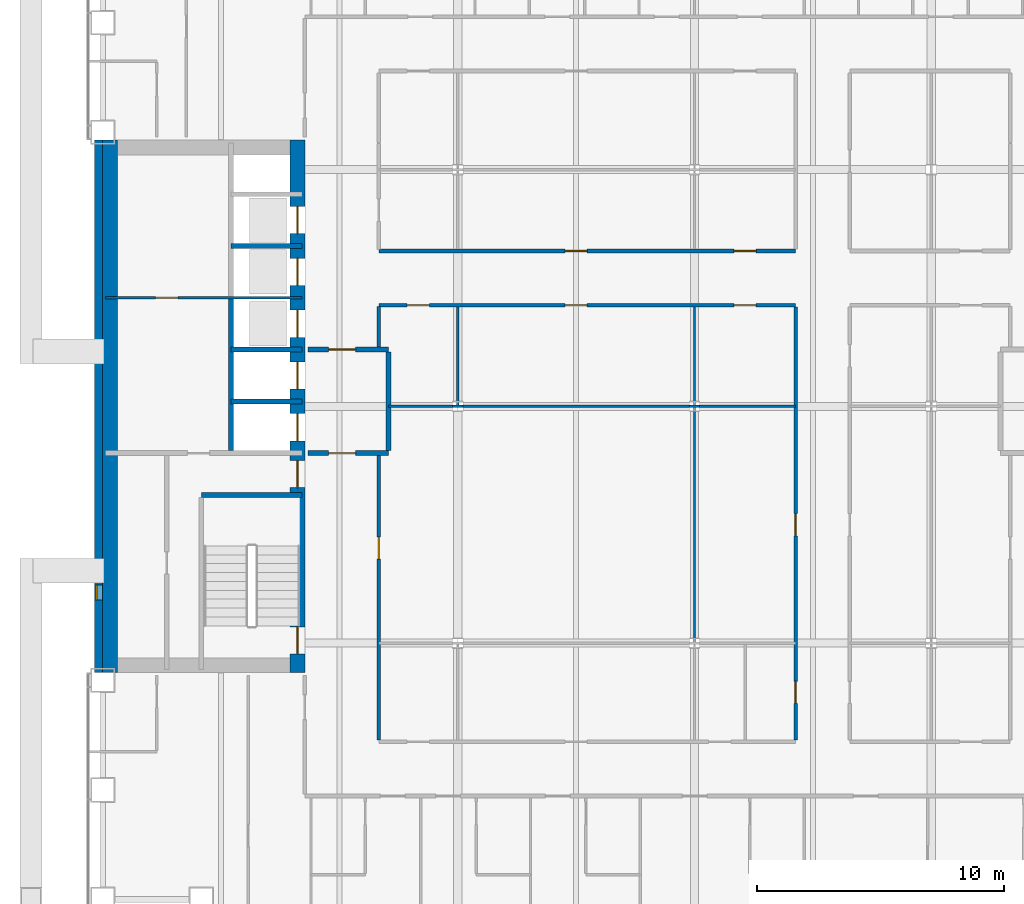
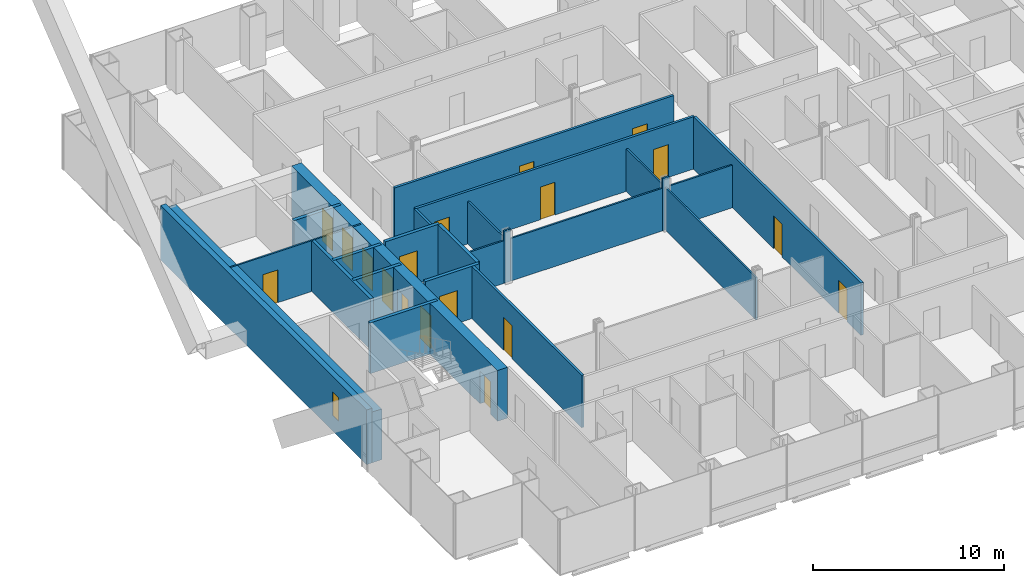
# One storey, part 17 of 23: 25 walls, 18 doors, 1 window, 19 openings.
"""IFC4 building model written with IfcOpenShell, lengths in metres."""

import ifcopenshell
import ifcopenshell.guid

model = None  # the IFC model being written
_history = None  # IfcOwnerHistory: only IFC2X3 demands one
_inside = {}  # id of a spatial element -> (the spatial element, [elements in it])
_under = {}  # id of a project, library or spatial element -> (it, [spatial elements below it])
_declared = {}  # id of a project -> (the project, [libraries it declares])
_typed = {}  # id of a type object -> (the type object, [elements of that type])
_made_of = {}  # id of a material, layer set ... -> (it, [elements and type objects made of it])


def new_model(schema):
    """Start an empty IFC model of exactly this schema.

    Asked for "IFC4X3", IfcOpenShell would pick the latest addendum, in which some entities
    have other attributes; the version numbers below select the first issue.
    IFC2X3 requires an IfcOwnerHistory on every rooted entity: one is made here for all.
    """
    global model, _history
    if schema == "IFC4X3":
        model = ifcopenshell.file(schema_version=(4, 3, 0, 0))
    else:
        model = ifcopenshell.file(schema=schema)
    _inside.clear()
    _under.clear()
    _declared.clear()
    _typed.clear()
    _made_of.clear()
    _history = None
    if model.schema == "IFC2X3":
        org = make("IfcOrganization", Name="unknown")
        user = make(
            "IfcPersonAndOrganization",
            ThePerson=make("IfcPerson", FamilyName="unknown"),
            TheOrganization=org,
        )
        app = make(
            "IfcApplication",
            ApplicationDeveloper=org,
            Version="unknown",
            ApplicationFullName="unknown",
            ApplicationIdentifier="unknown",
        )
        _history = make(
            "IfcOwnerHistory",
            OwningUser=user,
            OwningApplication=app,
            ChangeAction="ADDED",
            CreationDate=0,
        )
    return model


def make(cls, **values):
    """One entity of the class cls with the attributes given. An attribute that is None is left unset."""
    return model.create_entity(
        cls, **{name: value for name, value in values.items() if value is not None}
    )


def rooted(cls, **values):
    """An entity with a GlobalId (a new one), such as an element, a storey or a relation."""
    return make(cls, GlobalId=ifcopenshell.guid.new(), OwnerHistory=_history, **values)


def si_unit(unit_type, name, prefix=None):
    """IfcSIUnit, for example si_unit("LENGTHUNIT", "METRE", prefix="MILLI")."""
    return make("IfcSIUnit", UnitType=unit_type, Prefix=prefix, Name=name)


def assignment(units):
    """IfcUnitAssignment: the units of a project."""
    return None if units is None else make("IfcUnitAssignment", Units=units)


def point(xyz):
    """IfcCartesianPoint."""
    return None if xyz is None else make("IfcCartesianPoint", Coordinates=xyz)


def direction(xyz):
    """IfcDirection."""
    return None if xyz is None else make("IfcDirection", DirectionRatios=xyz)


def frame(location, z_axis=None, x_axis=None):
    """IfcAxis2Placement3D, a coordinate frame: its origin and axes. An axis left out is left unset."""
    return make(
        "IfcAxis2Placement3D",
        Location=point(location),
        Axis=direction(z_axis),
        RefDirection=direction(x_axis),
    )


def frame_2d(location, x_axis=None):
    """IfcAxis2Placement2D, a coordinate frame in the plane: its origin and x axis."""
    return make(
        "IfcAxis2Placement2D", Location=point(location), RefDirection=direction(x_axis)
    )


def origin():
    """The frame at (0, 0, 0) with its axes left unset."""
    return frame((0.0, 0.0, 0.0))


def place(relative_to, where):
    """IfcLocalPlacement: puts the frame where relative to a parent placement (None: the world)."""
    return make(
        "IfcLocalPlacement", PlacementRelTo=relative_to, RelativePlacement=where
    )


def context(
    kind, dimensions, precision=None, world=None, true_north=None, identifier=None
):
    """IfcGeometricRepresentationContext, for example the 3D "Model" context."""
    return make(
        "IfcGeometricRepresentationContext",
        ContextIdentifier=identifier,
        ContextType=kind,
        CoordinateSpaceDimension=dimensions,
        Precision=precision,
        WorldCoordinateSystem=world,
        TrueNorth=true_north,
    )


def subcontext(parent, identifier, kind, view, scale=None):
    """IfcGeometricRepresentationSubContext, for example "Body" below "Model"."""
    return make(
        "IfcGeometricRepresentationSubContext",
        ContextIdentifier=identifier,
        ContextType=kind,
        ParentContext=parent,
        TargetScale=scale,
        TargetView=view,
    )


def project(units=None, contexts=None):
    """IfcProject with its units and contexts."""
    return rooted(
        "IfcProject",
        Name="project",
        RepresentationContexts=contexts,
        UnitsInContext=assignment(units),
    )


def spatial(cls, under=None, at=None, **own):
    """A site, building, storey or space (cls), placed at a placement, below another one or the project."""
    s = rooted(cls, ObjectPlacement=at, **own)
    if under is not None:
        _under.setdefault(under.id(), (under, []))[1].append(s)
    return s


def profile(cls, at=None, kind="AREA", **sizes):
    """A parametric profile (cls). Its sizes go by their IFC names, for example OverallWidth=200.0."""
    return make(cls, ProfileType=kind, Position=at, **sizes)


def rectangle(**sizes):
    """IfcRectangleProfileDef."""
    return profile("IfcRectangleProfileDef", **sizes)


def extrude(swept, where, along, depth):
    """IfcExtrudedAreaSolid: the profile swept, set in the frame where, extruded along a direction by depth."""
    return make(
        "IfcExtrudedAreaSolid",
        SweptArea=swept,
        Position=where,
        ExtrudedDirection=direction(along),
        Depth=depth,
    )


def shape(context_of_items, identifier, shape_type, items):
    """IfcShapeRepresentation: the items that make up one representation, for example the "Body"."""
    return make(
        "IfcShapeRepresentation",
        ContextOfItems=context_of_items,
        RepresentationIdentifier=identifier,
        RepresentationType=shape_type,
        Items=items,
    )


def material(Name=None, Category=None):
    """IfcMaterial."""
    return make("IfcMaterial", Name=Name, Category=Category)


def layer(
    of_material, thickness, ventilated=None, Name=None, Category=None, Priority=None
):
    """IfcMaterialLayer: one layer of a wall or slab, of a material (None: an air gap)."""
    return make(
        "IfcMaterialLayer",
        Material=of_material,
        LayerThickness=thickness,
        IsVentilated=ventilated,
        Name=Name,
        Category=Category,
        Priority=Priority,
    )


def layer_set(layers, Name=None):
    """IfcMaterialLayerSet."""
    return make("IfcMaterialLayerSet", MaterialLayers=layers, LayerSetName=Name)


def made_of(thing, what):
    """Note that an element or type object is made of a material, layer set ...; save() writes the relation."""
    if what is not None:
        _made_of.setdefault(what.id(), (what, []))[1].append(thing)
    return thing


def type_object(cls, material=None, **own):
    """A type object (cls), such as IfcWallType, which elements share."""
    return made_of(rooted(cls, **own), material)


def element(
    cls,
    number,
    at=None,
    inside=None,
    cuts=None,
    type_object=None,
    material=None,
    context=None,
    identifier="Body",
    shape_type=None,
    held_by="IfcProductDefinitionShape",
    body=None,
    shapes=None,
    **own,
):
    """One element of the class cls, such as IfcWall. Its Tag is "e" and its number.

    at: its placement. inside: the storey or other place that contains it. cuts: it is an
    opening in that element (IfcRelVoidsElement). A single representation is given by context,
    identifier, shape_type and body (its items); several are given by shapes. held_by: the class
    of the entity that holds the representations. save() writes the other relations.
    """
    e = rooted(cls, Tag="e%d" % number, ObjectPlacement=at, **own)
    if body is not None:
        shapes = [shape(context, identifier, shape_type, body)]
    if shapes is not None:
        e.Representation = make(held_by, Representations=shapes)
    if inside is not None:
        _inside.setdefault(inside.id(), (inside, []))[1].append(e)
    if cuts is not None:
        rooted(
            "IfcRelVoidsElement", RelatingBuildingElement=cuts, RelatedOpeningElement=e
        )
    if type_object is not None:
        _typed.setdefault(type_object.id(), (type_object, []))[1].append(e)
    return made_of(e, material)


def fill(opening, filler):
    """IfcRelFillsElement: the door or window that sits in an opening."""
    return rooted(
        "IfcRelFillsElement",
        RelatingOpeningElement=opening,
        RelatedBuildingElement=filler,
    )


def aggregate(whole, parts):
    """IfcRelAggregates: a whole, such as a stair, and the parts it consists of."""
    return rooted("IfcRelAggregates", RelatingObject=whole, RelatedObjects=parts)


def save(model, path):
    """Write the relations noted so far, then the file.

    IfcRelAggregates (storeys below a building ...), IfcRelContainedInSpatialStructure (elements
    in a storey), IfcRelDefinesByType, IfcRelAssociatesMaterial and IfcRelDeclares: one each for
    every whole, place, type object, material and project.
    """
    for whole, parts in _under.values():
        aggregate(whole, parts)
    for where, things in _inside.values():
        rooted(
            "IfcRelContainedInSpatialStructure",
            RelatedElements=things,
            RelatingStructure=where,
        )
    for kind, things in _typed.values():
        rooted("IfcRelDefinesByType", RelatedObjects=things, RelatingType=kind)
    for what, things in _made_of.values():
        rooted("IfcRelAssociatesMaterial", RelatedObjects=things, RelatingMaterial=what)
    for by, libraries in _declared.values():
        rooted("IfcRelDeclares", RelatingContext=by, RelatedDefinitions=libraries)
    model.write(path)


model = new_model("IFC4")

# Units and contexts
model_context = context("Model", 3, precision=1e-05, world=origin(), true_north=direction((0.0, 1.0)))
body_context = subcontext(model_context, "Body", "Model", "MODEL_VIEW")
ifc_project = project(units=[si_unit("LENGTHUNIT", "METRE"), si_unit("AREAUNIT", "SQUARE_METRE"), si_unit("VOLUMEUNIT", "CUBIC_METRE"), si_unit("PLANEANGLEUNIT", "RADIAN"), si_unit("MASSUNIT", "GRAM", prefix="KILO")], contexts=[model_context])

# Site, building, storey
site_placement = place(None, origin())
site = spatial("IfcSite", under=ifc_project, at=site_placement, CompositionType="ELEMENT")
building_placement = place(site_placement, origin())
building = spatial("IfcBuilding", under=site, at=building_placement, Name="Cobrizo Arcos Hotel Tower", CompositionType="ELEMENT")
storey_placement = place(building_placement, frame((0.0, 0.0, 56.5)))
storey = spatial("IfcBuildingStorey", under=building, at=storey_placement, Name="L12", CompositionType="ELEMENT", Elevation=56.5)

# Wall, openings, doors
ifc_material_1 = material(Name="Gypsum board partition")
ifc_layer_1 = layer(ifc_material_1, 0.14990234375)
ifc_layer_set_1 = layer_set([ifc_layer_1], Name="Corridor wall EI 60 150")
wall_type_1 = type_object("IfcWallType", Name="Corridor wall EI 60 150", PredefinedType="PARTITIONING", material=ifc_layer_set_1)
wall_1_placement = place(storey_placement, frame((-12.800048828125, 4.10009765625, 0.0), z_axis=(0.0, 0.0, 1.0), x_axis=(1.0, 0.0, 0.0)))
wall_1 = element("IfcWall", 1, at=wall_1_placement, inside=storey, type_object=wall_type_1, Name="Partition 039", PredefinedType="PARTITIONING", context=body_context, shape_type="SweptSolid", body=[
    extrude(rectangle(XDim=16.900146484375, YDim=0.14990234375, at=frame_2d((8.4501953125, 0.0))), origin(), (0.0, 0.0, 1.0), 3.35009765625),
])
opening_1_placement = place(wall_1_placement, frame((1.14990234375, 0.0, 0.0)))
opening_1 = element("IfcOpeningElement", 2, at=opening_1_placement, cuts=wall_1, Name="Opening RD-13", PredefinedType="OPENING", context=body_context, shape_type="SweptSolid", body=[
    extrude(rectangle(XDim=0.89990234375, YDim=2.10009765625, at=frame_2d((0.449951171875, 1.050048828125))), frame((0.0, 0.0869140625, 0.0), z_axis=(0.0, -1.0, 0.0), x_axis=(1.0, 0.0, 0.0)), (0.0, 0.0, 1.0), 0.173828125),
])
opening_2_placement = place(wall_1_placement, frame((14.39990234375, 0.0, 0.0)))
opening_2 = element("IfcOpeningElement", 3, at=opening_2_placement, cuts=wall_1, Name="Opening RD-22", PredefinedType="OPENING", context=body_context, shape_type="SweptSolid", body=[
    extrude(rectangle(XDim=0.89990234375, YDim=2.10009765625, at=frame_2d((0.449951171875, 1.050048828125))), frame((0.0, 0.0869140625, 0.0), z_axis=(0.0, -1.0, 0.0), x_axis=(1.0, 0.0, 0.0)), (0.0, 0.0, 1.0), 0.173828125),
])
opening_3_placement = place(wall_1_placement, frame((7.550048828125, 0.0, 0.0)))
opening_3 = element("IfcOpeningElement", 4, at=opening_3_placement, cuts=wall_1, Name="Opening RD-30", PredefinedType="OPENING", context=body_context, shape_type="SweptSolid", body=[
    extrude(rectangle(XDim=0.89990234375, YDim=2.10009765625, at=frame_2d((0.449951171875, 1.050048828125))), frame((0.0, 0.0869140625, 0.0), z_axis=(0.0, -1.0, 0.0), x_axis=(1.0, 0.0, 0.0)), (0.0, 0.0, 1.0), 0.173828125),
])
ifc_material_2 = material(Name="Timber door leaf", Category="wood")
door_type_1 = type_object("IfcDoorType", Name="Room door FD30 900x2100", OperationType="SINGLE_SWING_LEFT", PredefinedType="DOOR", material=ifc_material_2)
door_1_placement = place(opening_1_placement, origin())
door_1 = element("IfcDoor", 5, at=door_1_placement, inside=storey, type_object=door_type_1, Name="Door RD-13", OperationType="SINGLE_SWING_LEFT", OverallHeight=2.10009765625, OverallWidth=0.89990234375, PredefinedType="DOOR", context=body_context, shape_type="SweptSolid", body=[
    extrude(rectangle(XDim=0.89990234375, YDim=2.10009765625, at=frame_2d((0.449951171875, 1.050048828125))), frame((0.0, 0.02490234375, 0.0), z_axis=(0.0, -1.0, 0.0), x_axis=(1.0, 0.0, 0.0)), (0.0, 0.0, 1.0), 0.050048828125),
])
fill(opening_1, door_1)
door_2_placement = place(opening_2_placement, origin())
door_2 = element("IfcDoor", 6, at=door_2_placement, inside=storey, type_object=door_type_1, Name="Door RD-22", OperationType="SINGLE_SWING_LEFT", OverallHeight=2.10009765625, OverallWidth=0.89990234375, PredefinedType="DOOR", context=body_context, shape_type="SweptSolid", body=[
    extrude(rectangle(XDim=0.89990234375, YDim=2.10009765625, at=frame_2d((0.449951171875, 1.050048828125))), frame((0.0, 0.02490234375, 0.0), z_axis=(0.0, -1.0, 0.0), x_axis=(1.0, 0.0, 0.0)), (0.0, 0.0, 1.0), 0.050048828125),
])
fill(opening_2, door_2)
door_3_placement = place(opening_3_placement, origin())
door_3 = element("IfcDoor", 7, at=door_3_placement, inside=storey, type_object=door_type_1, Name="Door RD-30", OperationType="SINGLE_SWING_RIGHT", OverallHeight=2.10009765625, OverallWidth=0.89990234375, PredefinedType="DOOR", context=body_context, shape_type="SweptSolid", body=[
    extrude(rectangle(XDim=0.89990234375, YDim=2.10009765625, at=frame_2d((0.449951171875, 1.050048828125))), frame((0.0, 0.02490234375, 0.0), z_axis=(0.0, -1.0, 0.0), x_axis=(1.0, 0.0, 0.0)), (0.0, 0.0, 1.0), 0.050048828125),
])
fill(opening_3, door_3)

wall_2_placement = place(storey_placement, frame((-12.800048828125, 6.300048828125, 0.0), z_axis=(0.0, 0.0, 1.0), x_axis=(1.0, 0.0, 0.0)))
wall_2 = element("IfcWall", 8, at=wall_2_placement, inside=storey, type_object=wall_type_1, Name="Partition 043", PredefinedType="PARTITIONING", context=body_context, shape_type="SweptSolid", body=[
    extrude(rectangle(XDim=16.900146484375, YDim=0.14990234375, at=frame_2d((8.4501953125, 0.0))), origin(), (0.0, 0.0, 1.0), 3.35009765625),
])
opening_4_placement = place(wall_2_placement, frame((14.39990234375, 0.0, 0.0)))
opening_4 = element("IfcOpeningElement", 9, at=opening_4_placement, cuts=wall_2, Name="Opening RD-20", PredefinedType="OPENING", context=body_context, shape_type="SweptSolid", body=[
    extrude(rectangle(XDim=0.89990234375, YDim=2.10009765625, at=frame_2d((0.449951171875, 1.050048828125))), frame((0.0, 0.0869140625, 0.0), z_axis=(0.0, -1.0, 0.0), x_axis=(1.0, 0.0, 0.0)), (0.0, 0.0, 1.0), 0.173828125),
])
opening_5_placement = place(wall_2_placement, frame((7.550048828125, 0.0, 0.0)))
opening_5 = element("IfcOpeningElement", 10, at=opening_5_placement, cuts=wall_2, Name="Opening RD-27", PredefinedType="OPENING", context=body_context, shape_type="SweptSolid", body=[
    extrude(rectangle(XDim=0.89990234375, YDim=2.10009765625, at=frame_2d((0.449951171875, 1.050048828125))), frame((0.0, 0.0869140625, 0.0), z_axis=(0.0, -1.0, 0.0), x_axis=(1.0, 0.0, 0.0)), (0.0, 0.0, 1.0), 0.173828125),
])
door_4_placement = place(opening_4_placement, origin())
door_4 = element("IfcDoor", 11, at=door_4_placement, inside=storey, type_object=door_type_1, Name="Door RD-20", OperationType="SINGLE_SWING_LEFT", OverallHeight=2.10009765625, OverallWidth=0.89990234375, PredefinedType="DOOR", context=body_context, shape_type="SweptSolid", body=[
    extrude(rectangle(XDim=0.89990234375, YDim=2.10009765625, at=frame_2d((0.449951171875, 1.050048828125))), frame((0.0, 0.02490234375, 0.0), z_axis=(0.0, -1.0, 0.0), x_axis=(1.0, 0.0, 0.0)), (0.0, 0.0, 1.0), 0.050048828125),
])
fill(opening_4, door_4)
door_5_placement = place(opening_5_placement, origin())
door_5 = element("IfcDoor", 12, at=door_5_placement, inside=storey, type_object=door_type_1, Name="Door RD-27", OperationType="SINGLE_SWING_LEFT", OverallHeight=2.10009765625, OverallWidth=0.89990234375, PredefinedType="DOOR", context=body_context, shape_type="SweptSolid", body=[
    extrude(rectangle(XDim=0.89990234375, YDim=2.10009765625, at=frame_2d((0.449951171875, 1.050048828125))), frame((0.0, 0.02490234375, 0.0), z_axis=(0.0, -1.0, 0.0), x_axis=(1.0, 0.0, 0.0)), (0.0, 0.0, 1.0), 0.050048828125),
])
fill(opening_5, door_5)

# Wall, opening, door
wall_3_placement = place(storey_placement, frame((-12.800048828125, -13.52490234375, 0.0), z_axis=(0.0, 0.0, 1.0), x_axis=(0.0, 1.0, 0.0)))
wall_3 = element("IfcWall", 13, at=wall_3_placement, inside=storey, type_object=wall_type_1, Name="Partition 078", PredefinedType="PARTITIONING", context=body_context, shape_type="SweptSolid", body=[
    extrude(rectangle(XDim=11.52490234375, YDim=0.14990234375, at=frame_2d((5.762451171875, 0.0))), origin(), (0.0, 0.0, 1.0), 3.35009765625),
])
opening_6_placement = place(wall_3_placement, frame((7.324951171875, 0.0, 0.0)))
opening_6 = element("IfcOpeningElement", 14, at=opening_6_placement, cuts=wall_3, Name="Opening RD-32", PredefinedType="OPENING", context=body_context, shape_type="SweptSolid", body=[
    extrude(rectangle(XDim=0.89990234375, YDim=2.10009765625, at=frame_2d((0.449951171875, 1.050048828125))), frame((0.0, 0.0869140625, 0.0), z_axis=(0.0, -1.0, 0.0), x_axis=(1.0, 0.0, 0.0)), (0.0, 0.0, 1.0), 0.173828125),
])
door_6_placement = place(opening_6_placement, origin())
door_6 = element("IfcDoor", 15, at=door_6_placement, inside=storey, type_object=door_type_1, Name="Door RD-32", OperationType="SINGLE_SWING_LEFT", OverallHeight=2.10009765625, OverallWidth=0.89990234375, PredefinedType="DOOR", context=body_context, shape_type="SweptSolid", body=[
    extrude(rectangle(XDim=0.89990234375, YDim=2.10009765625, at=frame_2d((0.449951171875, 1.050048828125))), frame((0.0, 0.02490234375, 0.0), z_axis=(0.0, -1.0, 0.0), x_axis=(1.0, 0.0, 0.0)), (0.0, 0.0, 1.0), 0.050048828125),
])
fill(opening_6, door_6)

# Wall
wall_4_placement = place(storey_placement, frame((-12.800048828125, 2.39990234375, 0.0), z_axis=(0.0, 0.0, 1.0), x_axis=(0.0, 1.0, 0.0)))
element("IfcWall", 16, at=wall_4_placement, inside=storey, type_object=wall_type_1, Name="Partition 079", PredefinedType="PARTITIONING", context=body_context, shape_type="SweptSolid", body=[
    extrude(rectangle(XDim=1.650146484375, YDim=0.14990234375, at=frame_2d((0.8251953125, 0.0))), origin(), (0.0, 0.0, 1.0), 3.35009765625),
])

# Wall, openings, doors
wall_5_placement = place(storey_placement, frame((4.10009765625, -13.52490234375, 0.0), z_axis=(0.0, 0.0, 1.0), x_axis=(0.0, 1.0, 0.0)))
wall_5 = element("IfcWall", 17, at=wall_5_placement, inside=storey, type_object=wall_type_1, Name="Partition 104", PredefinedType="PARTITIONING", context=body_context, shape_type="SweptSolid", body=[
    extrude(rectangle(XDim=17.5498046875, YDim=0.14990234375, at=frame_2d((8.77490234375, 0.0))), origin(), (0.0, 0.0, 1.0), 3.35009765625),
])
opening_7_placement = place(wall_5_placement, frame((1.47509765625, 0.0, 0.0)))
opening_7 = element("IfcOpeningElement", 18, at=opening_7_placement, cuts=wall_5, Name="Opening ED-17", PredefinedType="OPENING", context=body_context, shape_type="SweptSolid", body=[
    extrude(rectangle(XDim=0.89990234375, YDim=2.10009765625, at=frame_2d((0.449951171875, 1.050048828125))), frame((0.0, 0.0869140625, 0.0), z_axis=(0.0, -1.0, 0.0), x_axis=(1.0, 0.0, 0.0)), (0.0, 0.0, 1.0), 0.173828125),
])
opening_8_placement = place(wall_5_placement, frame((8.27490234375, 0.0, 0.0)))
opening_8 = element("IfcOpeningElement", 19, at=opening_8_placement, cuts=wall_5, Name="Opening RD-31", PredefinedType="OPENING", context=body_context, shape_type="SweptSolid", body=[
    extrude(rectangle(XDim=0.89990234375, YDim=2.10009765625, at=frame_2d((0.449951171875, 1.050048828125))), frame((0.0, 0.0869140625, 0.0), z_axis=(0.0, -1.0, 0.0), x_axis=(1.0, 0.0, 0.0)), (0.0, 0.0, 1.0), 0.173828125),
])
door_type_2 = type_object("IfcDoorType", Name="En-suite door 900x2100", OperationType="SINGLE_SWING_LEFT", PredefinedType="DOOR", material=ifc_material_2)
door_7_placement = place(opening_7_placement, origin())
door_7 = element("IfcDoor", 20, at=door_7_placement, inside=storey, type_object=door_type_2, Name="Door ED-17", OperationType="SINGLE_SWING_RIGHT", OverallHeight=2.10009765625, OverallWidth=0.89990234375, PredefinedType="DOOR", context=body_context, shape_type="SweptSolid", body=[
    extrude(rectangle(XDim=0.89990234375, YDim=2.10009765625, at=frame_2d((0.449951171875, 1.050048828125))), frame((0.0, 0.02490234375, 0.0), z_axis=(0.0, -1.0, 0.0), x_axis=(1.0, 0.0, 0.0)), (0.0, 0.0, 1.0), 0.050048828125),
])
fill(opening_7, door_7)
door_8_placement = place(opening_8_placement, origin())
door_8 = element("IfcDoor", 21, at=door_8_placement, inside=storey, type_object=door_type_1, Name="Door RD-31", OperationType="SINGLE_SWING_LEFT", OverallHeight=2.10009765625, OverallWidth=0.89990234375, PredefinedType="DOOR", context=body_context, shape_type="SweptSolid", body=[
    extrude(rectangle(XDim=0.89990234375, YDim=2.10009765625, at=frame_2d((0.449951171875, 1.050048828125))), frame((0.0, 0.02490234375, 0.0), z_axis=(0.0, -1.0, 0.0), x_axis=(1.0, 0.0, 0.0)), (0.0, 0.0, 1.0), 0.050048828125),
])
fill(opening_8, door_8)

# Wall, opening, window
ifc_material_3 = material(Name="Aluminium composite panel pale metal", Category="aluminium")
ifc_layer_2 = layer(ifc_material_3, 0.324951171875)
ifc_layer_set_2 = layer_set([ifc_layer_2], Name="EW-1 insulated panel wall 325")
wall_type_2 = type_object("IfcWallType", Name="EW-1 insulated panel wall 325", PredefinedType="SOLIDWALL", material=ifc_layer_set_2)
wall_6_placement = place(storey_placement, frame((-24.16259765625, 10.800048828125, 0.0), z_axis=(0.0, 0.0, 1.0), x_axis=(0.0, -1.0, 0.0)))
wall_6 = element("IfcWall", 22, at=wall_6_placement, inside=storey, type_object=wall_type_2, Name="Core face wall L12 W", PredefinedType="SOLIDWALL", context=body_context, shape_type="SweptSolid", body=[
    extrude(rectangle(XDim=21.60009765625, YDim=0.324951171875, at=frame_2d((10.800048828125, 0.0))), origin(), (0.0, 0.0, 1.0), 3.5),
])
opening_9_placement = place(wall_6_placement, frame((18.050048828125, 0.0, 1.0)))
opening_9 = element("IfcOpeningElement", 23, at=opening_9_placement, cuts=wall_6, Name="Opening W-20", PredefinedType="OPENING", context=body_context, shape_type="SweptSolid", body=[
    extrude(rectangle(XDim=0.60009765625, YDim=1.5, at=frame_2d((0.300048828125, 0.75))), frame((0.0, 0.174560546875, 0.0), z_axis=(0.0, -1.0, 0.0), x_axis=(1.0, 0.0, 0.0)), (0.0, 0.0, 1.0), 0.348876953125),
])
ifc_material_4 = material(Name="Aluminium 6063-T6 and clear laminated glass", Category="aluminium")
window_type = type_object("IfcWindowType", Name="W-C1 core stair slot window 600x1500", PartitioningType="SINGLE_PANEL", PredefinedType="WINDOW", material=ifc_material_4)
window_placement = place(opening_9_placement, origin())
window = element("IfcWindow", 24, at=window_placement, inside=storey, type_object=window_type, Name="Core face wall L12 W window W-20", OverallHeight=1.5, OverallWidth=0.60009765625, PartitioningType="SINGLE_PANEL", PredefinedType="WINDOW", context=body_context, shape_type="SweptSolid", body=[
    extrude(rectangle(XDim=0.60009765625, YDim=1.5, at=frame_2d((0.300048828125, 0.75))), frame((0.0, -0.072509765625, 0.0), z_axis=(0.0, -1.0, 0.0), x_axis=(1.0, 0.0, 0.0)), (0.0, 0.0, 1.0), 0.06005859375),
])
fill(opening_9, window)

# Walls
ifc_layer_3 = layer(ifc_material_1, 0.10009765625)
ifc_layer_set_3 = layer_set([ifc_layer_3], Name="Partition EI 30 100")
wall_type_3 = type_object("IfcWallType", Name="Partition EI 30 100", PredefinedType="PARTITIONING", material=ifc_layer_set_3)
wall_7_placement = place(storey_placement, frame((-12.39990234375, 0.0, 0.0), z_axis=(0.0, 0.0, 1.0), x_axis=(1.0, 0.0, 0.0)))
element("IfcWall", 25, at=wall_7_placement, inside=storey, type_object=wall_type_3, Name="Partition 025", PredefinedType="PARTITIONING", context=body_context, shape_type="SweptSolid", body=[
    extrude(rectangle(XDim=2.595947265625, YDim=0.10009765625, at=frame_2d((1.2978515625, 0.0))), origin(), (0.0, 0.0, 1.0), 2.72802734375),
])
wall_8_placement = place(storey_placement, frame((-9.803955078125, 0.0, 0.0), z_axis=(0.0, 0.0, 1.0), x_axis=(1.0, 0.0, 0.0)))
element("IfcWall", 26, at=wall_8_placement, inside=storey, type_object=wall_type_3, Name="Partition 026", PredefinedType="PARTITIONING", context=body_context, shape_type="SweptSolid", body=[
    extrude(rectangle(XDim=0.407958984375, YDim=0.10009765625, at=frame_2d((0.2041015625, 0.0))), origin(), (0.0, 0.0, 1.0), 3.35009765625),
])
wall_9_placement = place(storey_placement, frame((-9.39599609375, 0.0, 0.0), z_axis=(0.0, 0.0, 1.0), x_axis=(1.0, 0.0, 0.0)))
element("IfcWall", 27, at=wall_9_placement, inside=storey, type_object=wall_type_3, Name="Partition 027", PredefinedType="PARTITIONING", context=body_context, shape_type="SweptSolid", body=[
    extrude(rectangle(XDim=9.19189453125, YDim=0.10009765625, at=frame_2d((4.595947265625, 0.0))), origin(), (0.0, 0.0, 1.0), 2.72802734375),
])
wall_10_placement = place(storey_placement, frame((-0.2041015625, 0.0, 0.0), z_axis=(0.0, 0.0, 1.0), x_axis=(1.0, 0.0, 0.0)))
element("IfcWall", 28, at=wall_10_placement, inside=storey, type_object=wall_type_3, Name="Partition 028", PredefinedType="PARTITIONING", context=body_context, shape_type="SweptSolid", body=[
    extrude(rectangle(XDim=0.408203125, YDim=0.10009765625, at=frame_2d((0.2041015625, 0.0))), origin(), (0.0, 0.0, 1.0), 3.35009765625),
])
wall_11_placement = place(storey_placement, frame((0.2041015625, 0.0, 0.0), z_axis=(0.0, 0.0, 1.0), x_axis=(1.0, 0.0, 0.0)))
element("IfcWall", 29, at=wall_11_placement, inside=storey, type_object=wall_type_3, Name="Partition 029", PredefinedType="PARTITIONING", context=body_context, shape_type="SweptSolid", body=[
    extrude(rectangle(XDim=3.89599609375, YDim=0.10009765625, at=frame_2d((1.947998046875, 0.0))), origin(), (0.0, 0.0, 1.0), 2.72802734375),
])

# Wall, opening, door
wall_12_placement = place(storey_placement, frame((-23.8798828125, 4.39990234375, 0.0), z_axis=(0.0, 0.0, 1.0), x_axis=(1.0, 0.0, 0.0)))
wall_12 = element("IfcWall", 30, at=wall_12_placement, inside=storey, type_object=wall_type_3, Name="Partition 041", PredefinedType="PARTITIONING", context=body_context, shape_type="SweptSolid", body=[
    extrude(rectangle(XDim=7.9599609375, YDim=0.10009765625, at=frame_2d((3.97998046875, 0.0))), origin(), (0.0, 0.0, 1.0), 3.25),
])
opening_10_placement = place(wall_12_placement, frame((2.030029296875, 0.0, 0.0)))
opening_10 = element("IfcOpeningElement", 31, at=opening_10_placement, cuts=wall_12, Name="Opening RD-03", PredefinedType="OPENING", context=body_context, shape_type="SweptSolid", body=[
    extrude(rectangle(XDim=0.89990234375, YDim=2.10009765625, at=frame_2d((0.449951171875, 1.050048828125))), frame((0.0, 0.06201171875, 0.0), z_axis=(0.0, -1.0, 0.0), x_axis=(1.0, 0.0, 0.0)), (0.0, 0.0, 1.0), 0.1240234375),
])
door_9_placement = place(opening_10_placement, origin())
door_9 = element("IfcDoor", 32, at=door_9_placement, inside=storey, type_object=door_type_1, Name="Door RD-03", OperationType="SINGLE_SWING_RIGHT", OverallHeight=2.10009765625, OverallWidth=0.89990234375, PredefinedType="DOOR", context=body_context, shape_type="SweptSolid", body=[
    extrude(rectangle(XDim=0.89990234375, YDim=2.10009765625, at=frame_2d((0.449951171875, 1.050048828125))), frame((0.0, 0.02490234375, 0.0), z_axis=(0.0, -1.0, 0.0), x_axis=(1.0, 0.0, 0.0)), (0.0, 0.0, 1.0), 0.050048828125),
])
fill(opening_10, door_9)

# Walls
wall_13_placement = place(storey_placement, frame((-9.60009765625, 0.050048828125, 0.0), z_axis=(0.0, 0.0, 1.0), x_axis=(0.0, 1.0, 0.0)))
element("IfcWall", 33, at=wall_13_placement, inside=storey, type_object=wall_type_3, Name="Partition 085", PredefinedType="PARTITIONING", context=body_context, shape_type="SweptSolid", body=[
    extrude(rectangle(XDim=3.974853515625, YDim=0.10009765625, at=frame_2d((1.9873046875, 0.0))), origin(), (0.0, 0.0, 1.0), 2.72802734375),
])
wall_14_placement = place(storey_placement, frame((0.0, -9.550048828125, 0.0), z_axis=(0.0, 0.0, 1.0), x_axis=(0.0, 1.0, 0.0)))
element("IfcWall", 34, at=wall_14_placement, inside=storey, type_object=wall_type_3, Name="Partition 097", PredefinedType="PARTITIONING", context=body_context, shape_type="SweptSolid", body=[
    extrude(rectangle(XDim=9.5, YDim=0.10009765625, at=frame_2d((4.75, 0.0))), origin(), (0.0, 0.0, 1.0), 2.72802734375),
])
wall_15_placement = place(storey_placement, frame((0.0, 0.050048828125, 0.0), z_axis=(0.0, 0.0, 1.0), x_axis=(0.0, 1.0, 0.0)))
element("IfcWall", 35, at=wall_15_placement, inside=storey, type_object=wall_type_3, Name="Partition 098", PredefinedType="PARTITIONING", context=body_context, shape_type="SweptSolid", body=[
    extrude(rectangle(XDim=3.974853515625, YDim=0.10009765625, at=frame_2d((1.9873046875, 0.0))), origin(), (0.0, 0.0, 1.0), 2.72802734375),
])

# Wall, openings, doors
ifc_material_5 = material(Name="Concrete f'c 60 MPa", Category="concrete")
ifc_layer_4 = layer(ifc_material_5, 0.60009765625)
ifc_layer_set_4 = layer_set([ifc_layer_4], Name="RC core wall 600 f'c 60")
wall_type_4 = type_object("IfcWallType", Name="RC core wall 600 f'c 60", PredefinedType="SHEAR", material=ifc_layer_set_4)
wall_16_placement = place(storey_placement, frame((-16.10009765625, -10.800048828125, 0.0), z_axis=(0.0, 0.0, 1.0), x_axis=(0.0, 1.0, 0.0)))
wall_16 = element("IfcWall", 36, at=wall_16_placement, inside=storey, type_object=wall_type_4, Name="Core wall CW1, west core, inner face, L12", PredefinedType="SHEAR", context=body_context, shape_type="SweptSolid", body=[
    extrude(rectangle(XDim=21.60009765625, YDim=0.60009765625, at=frame_2d((10.800048828125, 0.0))), origin(), (0.0, 0.0, 1.0), 3.25),
])
opening_11_placement = place(wall_16_placement, frame((9.39990234375, 0.0, 0.0)))
opening_11 = element("IfcOpeningElement", 37, at=opening_11_placement, cuts=wall_16, Name="Opening LD-01", PredefinedType="OPENING", context=body_context, shape_type="SweptSolid", body=[
    extrude(rectangle(XDim=1.10009765625, YDim=2.10009765625, at=frame_2d((0.550048828125, 1.050048828125))), frame((0.0, 0.31201171875, 0.0), z_axis=(0.0, -1.0, 0.0), x_axis=(1.0, 0.0, 0.0)), (0.0, 0.0, 1.0), 0.6240234375),
])
opening_12_placement = place(wall_16_placement, frame((11.5, 0.0, 0.0)))
opening_12 = element("IfcOpeningElement", 38, at=opening_12_placement, cuts=wall_16, Name="Opening LD-02", PredefinedType="OPENING", context=body_context, shape_type="SweptSolid", body=[
    extrude(rectangle(XDim=1.10009765625, YDim=2.10009765625, at=frame_2d((0.550048828125, 1.050048828125))), frame((0.0, 0.31201171875, 0.0), z_axis=(0.0, -1.0, 0.0), x_axis=(1.0, 0.0, 0.0)), (0.0, 0.0, 1.0), 0.6240234375),
])
opening_13_placement = place(wall_16_placement, frame((13.60009765625, 0.0, 0.0)))
opening_13 = element("IfcOpeningElement", 39, at=opening_13_placement, cuts=wall_16, Name="Opening LD-03", PredefinedType="OPENING", context=body_context, shape_type="SweptSolid", body=[
    extrude(rectangle(XDim=1.10009765625, YDim=2.10009765625, at=frame_2d((0.550048828125, 1.050048828125))), frame((0.0, 0.31201171875, 0.0), z_axis=(0.0, -1.0, 0.0), x_axis=(1.0, 0.0, 0.0)), (0.0, 0.0, 1.0), 0.6240234375),
])
opening_14_placement = place(wall_16_placement, frame((15.699951171875, 0.0, 0.0)))
opening_14 = element("IfcOpeningElement", 40, at=opening_14_placement, cuts=wall_16, Name="Opening LD-04", PredefinedType="OPENING", context=body_context, shape_type="SweptSolid", body=[
    extrude(rectangle(XDim=1.10009765625, YDim=2.10009765625, at=frame_2d((0.550048828125, 1.050048828125))), frame((0.0, 0.31201171875, 0.0), z_axis=(0.0, -1.0, 0.0), x_axis=(1.0, 0.0, 0.0)), (0.0, 0.0, 1.0), 0.6240234375),
])
opening_15_placement = place(wall_16_placement, frame((17.800048828125, 0.0, 0.0)))
opening_15 = element("IfcOpeningElement", 41, at=opening_15_placement, cuts=wall_16, Name="Opening LD-05", PredefinedType="OPENING", context=body_context, shape_type="SweptSolid", body=[
    extrude(rectangle(XDim=1.10009765625, YDim=2.10009765625, at=frame_2d((0.550048828125, 1.050048828125))), frame((0.0, 0.31201171875, 0.0), z_axis=(0.0, -1.0, 0.0), x_axis=(1.0, 0.0, 0.0)), (0.0, 0.0, 1.0), 0.6240234375),
])
opening_16_placement = place(wall_16_placement, frame((0.758056640625, 0.0, 0.0)))
opening_16 = element("IfcOpeningElement", 42, at=opening_16_placement, cuts=wall_16, Name="Opening SD-01", PredefinedType="OPENING", context=body_context, shape_type="SweptSolid", body=[
    extrude(rectangle(XDim=1.10009765625, YDim=2.10009765625, at=frame_2d((0.550048828125, 1.050048828125))), frame((0.0, 0.31201171875, 0.0), z_axis=(0.0, -1.0, 0.0), x_axis=(1.0, 0.0, 0.0)), (0.0, 0.0, 1.0), 0.6240234375),
])
opening_17_placement = place(wall_16_placement, frame((7.5, 0.0, 0.0)))
opening_17 = element("IfcOpeningElement", 43, at=opening_17_placement, cuts=wall_16, Name="Opening FD-01", PredefinedType="OPENING", context=body_context, shape_type="SweptSolid", body=[
    extrude(rectangle(XDim=1.10009765625, YDim=2.10009765625, at=frame_2d((0.550048828125, 1.050048828125))), frame((0.0, 0.31201171875, 0.0), z_axis=(0.0, -1.0, 0.0), x_axis=(1.0, 0.0, 0.0)), (0.0, 0.0, 1.0), 0.6240234375),
])
ifc_material_6 = material(Name="Steel door leaf", Category="steel")
door_type_3 = type_object("IfcDoorType", Name="Fire door FD60 1100x2100", OperationType="SINGLE_SWING_LEFT", PredefinedType="DOOR", material=ifc_material_6)
door_10_placement = place(opening_17_placement, origin())
door_10 = element("IfcDoor", 44, at=door_10_placement, inside=storey, type_object=door_type_3, Name="Door FD-01", OperationType="SINGLE_SWING_LEFT", OverallHeight=2.10009765625, OverallWidth=1.10009765625, PredefinedType="DOOR", context=body_context, shape_type="SweptSolid", body=[
    extrude(rectangle(XDim=1.10009765625, YDim=2.10009765625, at=frame_2d((0.550048828125, 1.050048828125))), frame((0.0, 0.02490234375, 0.0), z_axis=(0.0, -1.0, 0.0), x_axis=(1.0, 0.0, 0.0)), (0.0, 0.0, 1.0), 0.050048828125),
])
fill(opening_17, door_10)
door_type_4 = type_object("IfcDoorType", Name="Lift landing door 1100x2100", OperationType="SLIDING_TO_LEFT", PredefinedType="DOOR", material=ifc_material_6)
door_11_placement = place(opening_11_placement, origin())
door_11 = element("IfcDoor", 45, at=door_11_placement, inside=storey, type_object=door_type_4, Name="Lift landing door LD-01", OperationType="SLIDING_TO_LEFT", OverallHeight=2.10009765625, OverallWidth=1.10009765625, PredefinedType="DOOR", context=body_context, shape_type="SweptSolid", body=[
    extrude(rectangle(XDim=1.10009765625, YDim=2.10009765625, at=frame_2d((0.550048828125, 1.050048828125))), frame((0.0, 0.02490234375, 0.0), z_axis=(0.0, -1.0, 0.0), x_axis=(1.0, 0.0, 0.0)), (0.0, 0.0, 1.0), 0.050048828125),
])
fill(opening_11, door_11)
door_12_placement = place(opening_12_placement, origin())
door_12 = element("IfcDoor", 46, at=door_12_placement, inside=storey, type_object=door_type_4, Name="Lift landing door LD-02", OperationType="SLIDING_TO_LEFT", OverallHeight=2.10009765625, OverallWidth=1.10009765625, PredefinedType="DOOR", context=body_context, shape_type="SweptSolid", body=[
    extrude(rectangle(XDim=1.10009765625, YDim=2.10009765625, at=frame_2d((0.550048828125, 1.050048828125))), frame((0.0, 0.02490234375, 0.0), z_axis=(0.0, -1.0, 0.0), x_axis=(1.0, 0.0, 0.0)), (0.0, 0.0, 1.0), 0.050048828125),
])
fill(opening_12, door_12)
door_13_placement = place(opening_13_placement, origin())
door_13 = element("IfcDoor", 47, at=door_13_placement, inside=storey, type_object=door_type_4, Name="Lift landing door LD-03", OperationType="SLIDING_TO_LEFT", OverallHeight=2.10009765625, OverallWidth=1.10009765625, PredefinedType="DOOR", context=body_context, shape_type="SweptSolid", body=[
    extrude(rectangle(XDim=1.10009765625, YDim=2.10009765625, at=frame_2d((0.550048828125, 1.050048828125))), frame((0.0, 0.02490234375, 0.0), z_axis=(0.0, -1.0, 0.0), x_axis=(1.0, 0.0, 0.0)), (0.0, 0.0, 1.0), 0.050048828125),
])
fill(opening_13, door_13)
door_14_placement = place(opening_14_placement, origin())
door_14 = element("IfcDoor", 48, at=door_14_placement, inside=storey, type_object=door_type_4, Name="Lift landing door LD-04", OperationType="SLIDING_TO_LEFT", OverallHeight=2.10009765625, OverallWidth=1.10009765625, PredefinedType="DOOR", context=body_context, shape_type="SweptSolid", body=[
    extrude(rectangle(XDim=1.10009765625, YDim=2.10009765625, at=frame_2d((0.550048828125, 1.050048828125))), frame((0.0, 0.02490234375, 0.0), z_axis=(0.0, -1.0, 0.0), x_axis=(1.0, 0.0, 0.0)), (0.0, 0.0, 1.0), 0.050048828125),
])
fill(opening_14, door_14)
door_15_placement = place(opening_15_placement, origin())
door_15 = element("IfcDoor", 49, at=door_15_placement, inside=storey, type_object=door_type_4, Name="Lift landing door LD-05", OperationType="SLIDING_TO_LEFT", OverallHeight=2.10009765625, OverallWidth=1.10009765625, PredefinedType="DOOR", context=body_context, shape_type="SweptSolid", body=[
    extrude(rectangle(XDim=1.10009765625, YDim=2.10009765625, at=frame_2d((0.550048828125, 1.050048828125))), frame((0.0, 0.02490234375, 0.0), z_axis=(0.0, -1.0, 0.0), x_axis=(1.0, 0.0, 0.0)), (0.0, 0.0, 1.0), 0.050048828125),
])
fill(opening_15, door_15)
door_type_5 = type_object("IfcDoorType", Name="Stair door FD60S 1100x2100", OperationType="SINGLE_SWING_LEFT", PredefinedType="DOOR", material=ifc_material_6)
door_16_placement = place(opening_16_placement, origin())
door_16 = element("IfcDoor", 50, at=door_16_placement, inside=storey, type_object=door_type_5, Name="Door SD-01", OperationType="SINGLE_SWING_LEFT", OverallHeight=2.10009765625, OverallWidth=1.10009765625, PredefinedType="DOOR", context=body_context, shape_type="SweptSolid", body=[
    extrude(rectangle(XDim=1.10009765625, YDim=2.10009765625, at=frame_2d((0.550048828125, 1.050048828125))), frame((0.0, 0.02490234375, 0.0), z_axis=(0.0, -1.0, 0.0), x_axis=(1.0, 0.0, 0.0)), (0.0, 0.0, 1.0), 0.050048828125),
])
fill(opening_16, door_16)

# Wall
wall_17_placement = place(storey_placement, frame((-23.699951171875, -10.800048828125, 0.0), z_axis=(0.0, 0.0, 1.0), x_axis=(0.0, 1.0, 0.0)))
element("IfcWall", 51, at=wall_17_placement, inside=storey, type_object=wall_type_4, Name="Core wall CW1, west core, outer face, L12", PredefinedType="SHEAR", context=body_context, shape_type="SweptSolid", body=[
    extrude(rectangle(XDim=21.60009765625, YDim=0.60009765625, at=frame_2d((10.800048828125, 0.0))), origin(), (0.0, 0.0, 1.0), 3.25),
])

# Wall, opening, door
ifc_layer_5 = layer(ifc_material_1, 0.199951171875)
ifc_layer_set_5 = layer_set([ifc_layer_5], Name="Shaft wall EI 120 200")
wall_type_5 = type_object("IfcWallType", Name="Shaft wall EI 120 200", PredefinedType="PARTITIONING", material=ifc_layer_set_5)
wall_18_placement = place(storey_placement, frame((-15.679931640625, -1.89990234375, 0.0), z_axis=(0.0, 0.0, 1.0), x_axis=(1.0, 0.0, 0.0)))
wall_18 = element("IfcWall", 52, at=wall_18_placement, inside=storey, type_object=wall_type_5, Name="Partition 022", PredefinedType="PARTITIONING", context=body_context, shape_type="SweptSolid", body=[
    extrude(rectangle(XDim=3.280029296875, YDim=0.199951171875, at=frame_2d((1.64013671875, 0.0))), origin(), (0.0, 0.0, 1.0), 3.35009765625),
])
opening_18_placement = place(wall_18_placement, frame((0.840087890625, 0.0, 0.0)))
opening_18 = element("IfcOpeningElement", 53, at=opening_18_placement, cuts=wall_18, Name="Opening FD-03", PredefinedType="OPENING", context=body_context, shape_type="SweptSolid", body=[
    extrude(rectangle(XDim=1.10009765625, YDim=2.10009765625, at=frame_2d((0.550048828125, 1.050048828125))), frame((0.0, 0.112060546875, 0.0), z_axis=(0.0, -1.0, 0.0), x_axis=(1.0, 0.0, 0.0)), (0.0, 0.0, 1.0), 0.223876953125),
])
door_17_placement = place(opening_18_placement, origin())
door_17 = element("IfcDoor", 54, at=door_17_placement, inside=storey, type_object=door_type_3, Name="Door FD-03", OperationType="SINGLE_SWING_RIGHT", OverallHeight=2.10009765625, OverallWidth=1.10009765625, PredefinedType="DOOR", context=body_context, shape_type="SweptSolid", body=[
    extrude(rectangle(XDim=1.10009765625, YDim=2.10009765625, at=frame_2d((0.550048828125, 1.050048828125))), frame((0.0, 0.02490234375, 0.0), z_axis=(0.0, -1.0, 0.0), x_axis=(1.0, 0.0, 0.0)), (0.0, 0.0, 1.0), 0.050048828125),
])
fill(opening_18, door_17)

# Walls
for number, where, z_axis, x_axis, name in (
    (55, (-18.800048828125, 0.199951171875, 0.0), (0.0, 0.0, 1.0), (1.0, 0.0, 0.0), "Partition 033"),
    (56, (-18.800048828125, 2.300048828125, 0.0), (0.0, 0.0, 1.0), (1.0, 0.0, 0.0), "Partition 035"),
):
    element("IfcWall", number, at=place(storey_placement, frame(where, z_axis=z_axis, x_axis=x_axis)), inside=storey, type_object=wall_type_5, Name=name, PredefinedType="PARTITIONING", context=body_context, shape_type="SweptSolid", body=[
        extrude(rectangle(XDim=2.880126953125, YDim=0.199951171875, at=frame_2d((1.43994140625, 0.0))), origin(), (0.0, 0.0, 1.0), 3.25),
    ])

# Wall, opening, door
wall_19_placement = place(storey_placement, frame((-15.679931640625, 2.300048828125, 0.0), z_axis=(0.0, 0.0, 1.0), x_axis=(1.0, 0.0, 0.0)))
wall_19 = element("IfcWall", 57, at=wall_19_placement, inside=storey, type_object=wall_type_5, Name="Partition 036", PredefinedType="PARTITIONING", context=body_context, shape_type="SweptSolid", body=[
    extrude(rectangle(XDim=3.280029296875, YDim=0.199951171875, at=frame_2d((1.64013671875, 0.0))), origin(), (0.0, 0.0, 1.0), 3.35009765625),
])
opening_19_placement = place(wall_19_placement, frame((0.840087890625, 0.0, 0.0)))
opening_19 = element("IfcOpeningElement", 58, at=opening_19_placement, cuts=wall_19, Name="Opening FD-02", PredefinedType="OPENING", context=body_context, shape_type="SweptSolid", body=[
    extrude(rectangle(XDim=1.10009765625, YDim=2.10009765625, at=frame_2d((0.550048828125, 1.050048828125))), frame((0.0, 0.112060546875, 0.0), z_axis=(0.0, -1.0, 0.0), x_axis=(1.0, 0.0, 0.0)), (0.0, 0.0, 1.0), 0.223876953125),
])
door_18_placement = place(opening_19_placement, origin())
door_18 = element("IfcDoor", 59, at=door_18_placement, inside=storey, type_object=door_type_3, Name="Door FD-02", OperationType="SINGLE_SWING_LEFT", OverallHeight=2.10009765625, OverallWidth=1.10009765625, PredefinedType="DOOR", context=body_context, shape_type="SweptSolid", body=[
    extrude(rectangle(XDim=1.10009765625, YDim=2.10009765625, at=frame_2d((0.550048828125, 1.050048828125))), frame((0.0, 0.02490234375, 0.0), z_axis=(0.0, -1.0, 0.0), x_axis=(1.0, 0.0, 0.0)), (0.0, 0.0, 1.0), 0.050048828125),
])
fill(opening_19, door_18)

# Walls
wall_20_placement = place(storey_placement, frame((-18.800048828125, 6.5, 0.0), z_axis=(0.0, 0.0, 1.0), x_axis=(1.0, 0.0, 0.0)))
element("IfcWall", 60, at=wall_20_placement, inside=storey, type_object=wall_type_5, Name="Partition 045", PredefinedType="PARTITIONING", context=body_context, shape_type="SweptSolid", body=[
    extrude(rectangle(XDim=2.880126953125, YDim=0.199951171875, at=frame_2d((1.43994140625, 0.0))), origin(), (0.0, 0.0, 1.0), 3.25),
])
wall_21_placement = place(storey_placement, frame((-18.800048828125, -1.800048828125, 0.0), z_axis=(0.0, 0.0, 1.0), x_axis=(0.0, 1.0, 0.0)))
element("IfcWall", 61, at=wall_21_placement, inside=storey, type_object=wall_type_5, Name="Partition 069", PredefinedType="PARTITIONING", context=body_context, shape_type="SweptSolid", body=[
    extrude(rectangle(XDim=6.150146484375, YDim=0.199951171875, at=frame_2d((3.0751953125, 0.0))), origin(), (0.0, 0.0, 1.0), 3.25),
])
wall_22_placement = place(storey_placement, frame((-12.39990234375, -1.800048828125, 0.0), z_axis=(0.0, 0.0, 1.0), x_axis=(0.0, 1.0, 0.0)))
element("IfcWall", 62, at=wall_22_placement, inside=storey, type_object=wall_type_5, Name="Partition 082", PredefinedType="PARTITIONING", context=body_context, shape_type="SweptSolid", body=[
    extrude(rectangle(XDim=4.0, YDim=0.199951171875, at=frame_2d((2.0, 0.0))), origin(), (0.0, 0.0, 1.0), 3.35009765625),
])
ifc_material_7 = material(Name="Concrete f'c 40 MPa", Category="concrete")
ifc_layer_6 = layer(ifc_material_7, 0.199951171875)
ifc_layer_set_6 = layer_set([ifc_layer_6], Name="Stair shaft wall 200")
wall_type_6 = type_object("IfcWallType", Name="Stair shaft wall 200", PredefinedType="SHEAR", material=ifc_layer_set_6)
wall_23_placement = place(storey_placement, frame((-20.0, -3.60009765625, 0.0), z_axis=(0.0, 0.0, 1.0), x_axis=(1.0, 0.0, 0.0)))
element("IfcWall", 63, at=wall_23_placement, inside=storey, type_object=wall_type_6, Name="Stair shaft wall W", PredefinedType="SHEAR", context=body_context, shape_type="SweptSolid", body=[
    extrude(rectangle(XDim=4.080078125, YDim=0.199951171875, at=frame_2d((2.0400390625, 0.0))), origin(), (0.0, 0.0, 1.0), 3.25),
])

save(model, "model.ifc")
